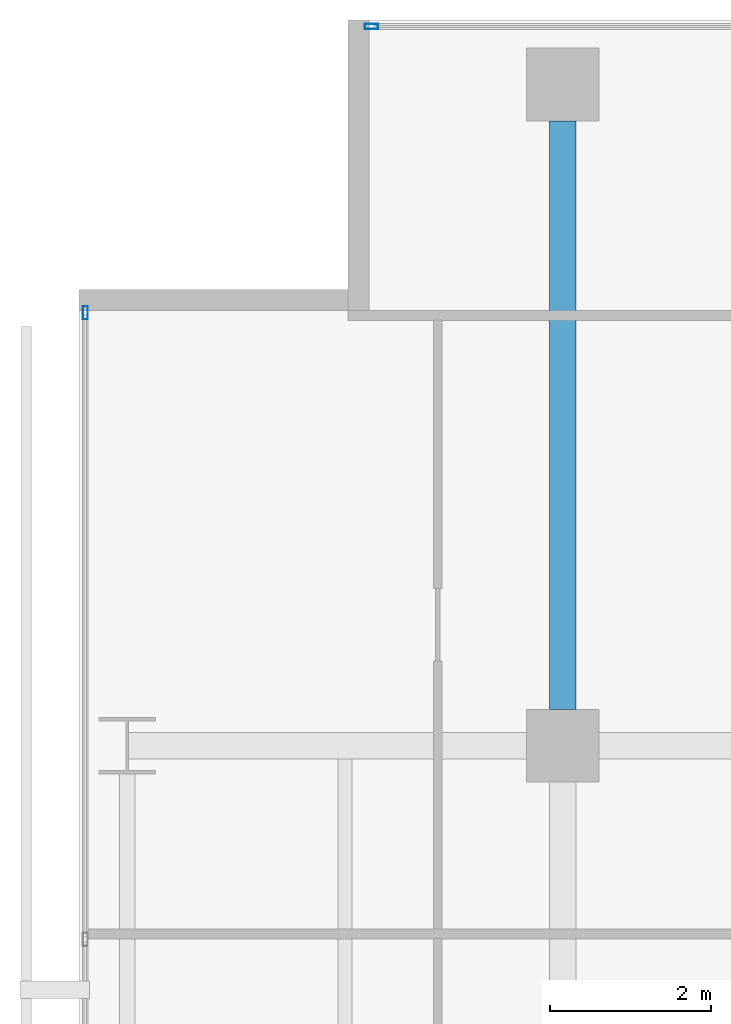
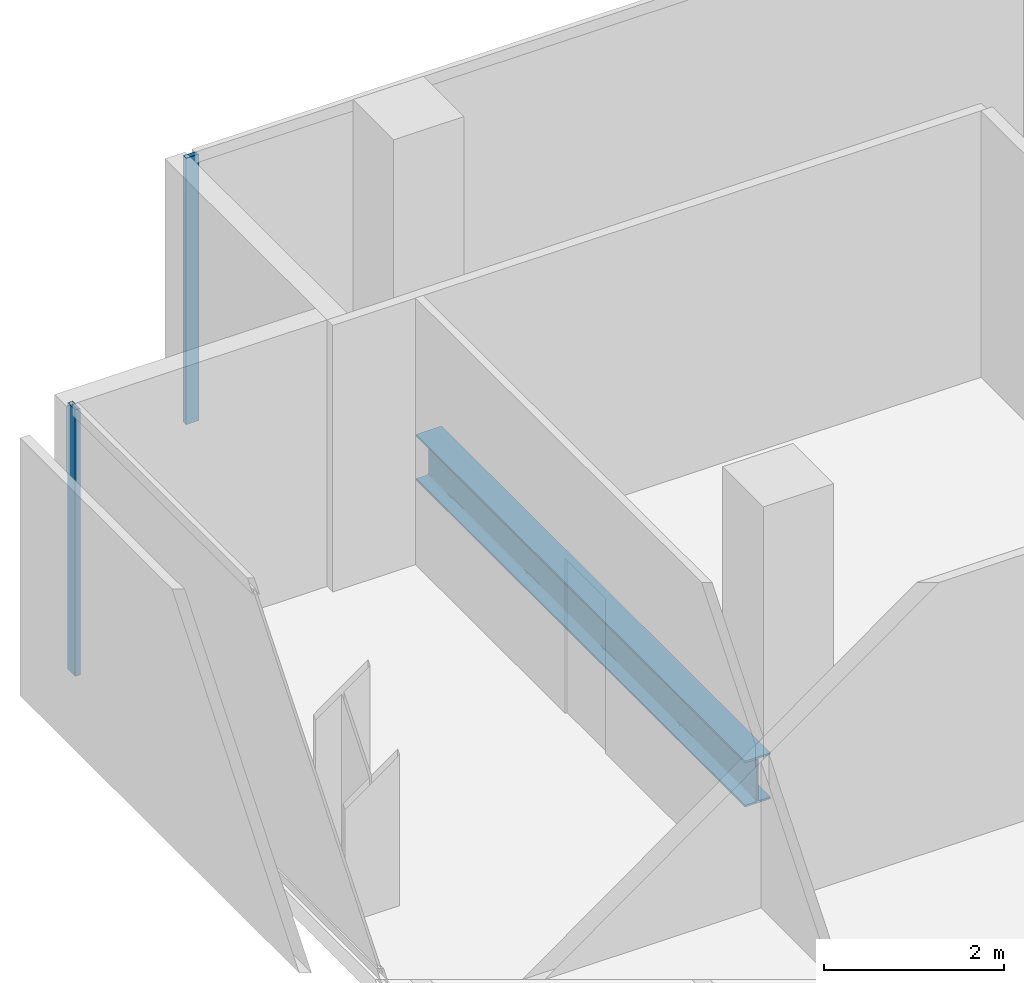
# One storey, part 25 of 40: 2 members, 1 beam, 2 elements without a shape of their own.
"""IFC4 building model written with IfcOpenShell, lengths in metres."""

from ifc_helpers import new_model, si_unit, direction, frame, origin, origin_2d, place, context, subcontext, project, spatial, hollow_rectangle, i_section, extrude, material, layer, layer_set, material_profile, profile_set, type_object, element, aggregate, save


model = new_model("IFC4")

# Units and contexts
model_context = context("Model", 3, precision=1e-05, world=origin(), true_north=direction((0.0, 1.0)))
body_context = subcontext(model_context, "Body", "Model", "MODEL_VIEW")
ifc_project = project(units=[si_unit("LENGTHUNIT", "METRE"), si_unit("AREAUNIT", "SQUARE_METRE"), si_unit("VOLUMEUNIT", "CUBIC_METRE"), si_unit("PLANEANGLEUNIT", "RADIAN"), si_unit("MASSUNIT", "GRAM", prefix="KILO")], contexts=[model_context])

# Site, building, storey
site_placement = place(None, origin())
site = spatial("IfcSite", under=ifc_project, at=site_placement, CompositionType="ELEMENT")
building_placement = place(site_placement, origin())
building = spatial("IfcBuilding", under=site, at=building_placement, Name="Maruvema Waterfront Hotel and Observation Tower", CompositionType="ELEMENT")
storey_placement = place(building_placement, frame((0.0, 0.0, 38.5)))
storey = spatial("IfcBuildingStorey", under=building, at=storey_placement, Name="L08", CompositionType="ELEMENT", Elevation=38.5)

# Curtain wall, member
ifc_material_1 = material(Name="Anodised bronze aluminium and solar-control low-E IGU", Category="aluminium")
ifc_layer = layer(ifc_material_1, 0.159912109375, Name="Zone 1 Bronze Inner Thermal Curtain Wall System CW-02")
ifc_layer_set = layer_set([ifc_layer], Name="Anodised bronze aluminium and solar-control low-E IGU")
curtain_wall_type = type_object("IfcCurtainWallType", Name="Zone 1 Bronze Inner Thermal Curtain Wall System CW-02", PredefinedType="USERDEFINED", material=ifc_layer_set)
curtain_wall_1_placement = place(storey_placement, origin())
curtain_wall_1 = element("IfcCurtainWall", 1, at=curtain_wall_1_placement, inside=storey, type_object=curtain_wall_type, Name="L08 Curtain Wall CW-L08-W", ObjectType="UNITISED CURTAIN WALL", PredefinedType="USERDEFINED")
ifc_material_2 = material(Name="Anodised architectural bronze aluminium", Category="aluminium")
ifc_material_profile_1 = material_profile(ifc_material_2, hollow_rectangle(XDim=0.06494140625, YDim=0.1650390625, WallThickness=0.00390625, at=origin_2d()), Name="ALU-M65x165")
ifc_profile_set_1 = profile_set([ifc_material_profile_1], Name="Anodised architectural bronze aluminium")
member_type = type_object("IfcMemberType", Name="Curtain Wall Primary Mullion ALU-M65x165", PredefinedType="MULLION", material=ifc_profile_set_1)
member_1_placement = place(storey_placement, frame((10.8798828125, 50.3701171875, 0.0), z_axis=(0.0, 0.0, 1.0), x_axis=(1.0, 0.0, 0.0)))
member_1 = element("IfcMember", 2, at=member_1_placement, type_object=member_type, Name="CW-02 mullion 1", PredefinedType="MULLION", context=body_context, shape_type="SweptSolid", body=[
    extrude(hollow_rectangle(XDim=0.06494140625, YDim=0.1650390625, WallThickness=0.00390625, at=origin_2d()), origin(), (0.0, 0.0, 1.0), 3.610107421875),
])
aggregate(curtain_wall_1, [member_1])

curtain_wall_2_placement = place(storey_placement, origin())
curtain_wall_2 = element("IfcCurtainWall", 3, at=curtain_wall_2_placement, inside=storey, type_object=curtain_wall_type, Name="L08 Curtain Wall CW-L08-NW", ObjectType="UNITISED CURTAIN WALL", PredefinedType="USERDEFINED")
member_2_placement = place(storey_placement, frame((14.429931640625, 53.919921875, 0.0), z_axis=(0.0, 0.0, 1.0), x_axis=(0.0, -1.0, 0.0)))
member_2 = element("IfcMember", 4, at=member_2_placement, type_object=member_type, Name="CW-02 mullion 2", PredefinedType="MULLION", context=body_context, shape_type="SweptSolid", body=[
    extrude(hollow_rectangle(XDim=0.06494140625, YDim=0.1650390625, WallThickness=0.00390625, at=origin_2d()), origin(), (0.0, 0.0, 1.0), 3.610107421875),
])
aggregate(curtain_wall_2, [member_2])

# Beam
ifc_material_3 = material(Name="Steel ASTM A572 Grade 50", Category="steel")
ifc_material_profile_2 = material_profile(ifc_material_3, i_section(OverallWidth=0.326904296875, OverallDepth=0.6220703125, WebThickness=0.015380859375, FlangeThickness=0.0244140625, FilletRadius=0.01806640625, at=origin_2d()), Name="W610x195.0")
ifc_profile_set_2 = profile_set([ifc_material_profile_2], Name="Steel ASTM A572 Grade 50")
beam_type = type_object("IfcBeamType", Name="Primary Floor Girder W610x195.0", PredefinedType="BEAM", material=ifc_profile_set_2)
beam_placement = place(storey_placement, frame((16.800048828125, 45.449951171875, -0.551025390625), z_axis=(0.0, 1.0, 0.0), x_axis=(-1.0, 0.0, 0.0)))
element("IfcBeam", 5, at=beam_placement, inside=storey, type_object=beam_type, Name="L08 Floor Girder NS-10", PredefinedType="BEAM", context=body_context, shape_type="SweptSolid", body=[
    extrude(i_section(OverallWidth=0.326904296875, OverallDepth=0.6220703125, WebThickness=0.015380859375, FlangeThickness=0.0244140625, FilletRadius=0.01806640625, at=origin_2d()), origin(), (0.0, 0.0, 1.0), 7.300048828125),
])

save(model, "model.ifc")
